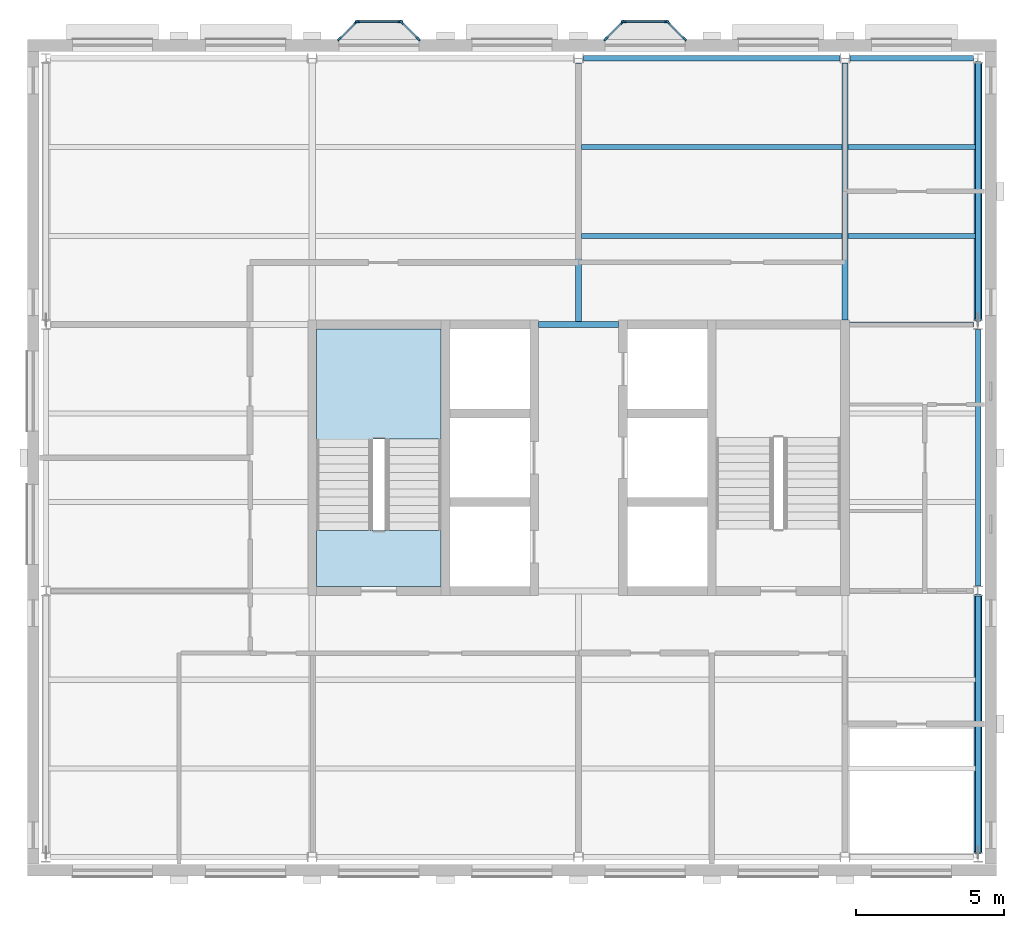
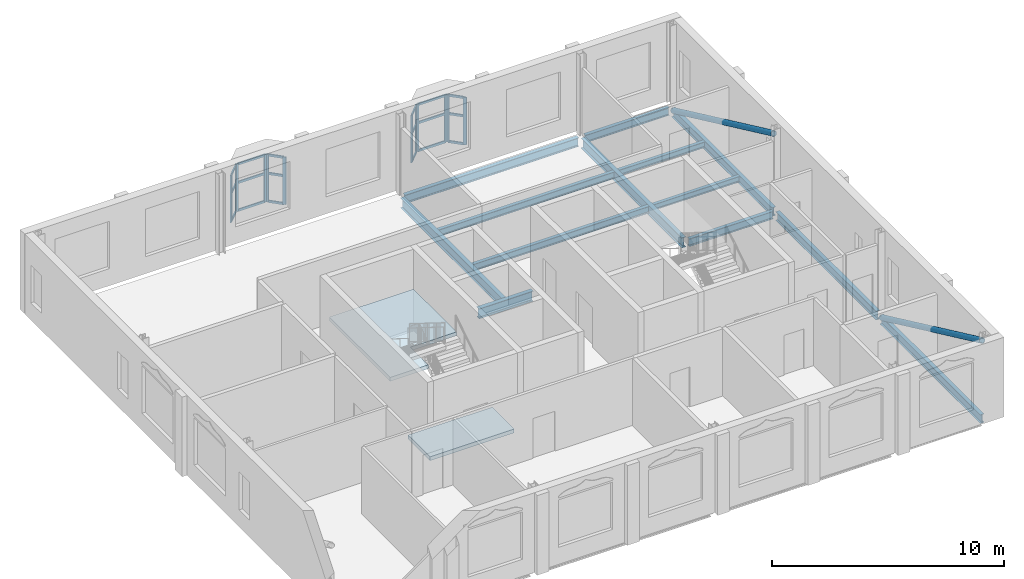
# One storey, part 2 of 9: 32 members, 13 beams, 2 slabs, 7 elements without a shape of their own.
"""IFC4 building model written with IfcOpenShell, lengths in metres."""

from ifc_helpers import new_model, si_unit, direction, frame, origin, origin_2d, place, context, subcontext, project, spatial, polyline, rectangle, hollow_circle, i_section, outline, extrude, material, layer, layer_set, material_profile, profile_set, type_object, element, aggregate, save


model = new_model("IFC4")

# Units and contexts
model_context = context("Model", 3, precision=1e-05, world=origin(), true_north=direction((0.0, 1.0)))
body_context = subcontext(model_context, "Body", "Model", "MODEL_VIEW")
ifc_project = project(units=[si_unit("LENGTHUNIT", "METRE"), si_unit("AREAUNIT", "SQUARE_METRE"), si_unit("VOLUMEUNIT", "CUBIC_METRE"), si_unit("PLANEANGLEUNIT", "RADIAN"), si_unit("MASSUNIT", "GRAM", prefix="KILO")], contexts=[model_context])

# Site, building, storey
site_placement = place(None, origin())
site = spatial("IfcSite", under=ifc_project, at=site_placement, CompositionType="ELEMENT")
building_placement = place(site_placement, origin())
building = spatial("IfcBuilding", under=site, at=building_placement, Name="Hortulan Conservatory and Botanical Research Centre", CompositionType="ELEMENT")
storey_placement = place(building_placement, frame((0.0, 0.0, 44.39990234375)))
storey = spatial("IfcBuildingStorey", under=building, at=storey_placement, Name="L10", CompositionType="ELEMENT", Elevation=44.39990234375)

# Members
ifc_material_1 = material(Name="Steel Grade C350L0 (350 MPa, AS/NZS 1163)", Category="steel")
ifc_material_profile_1 = material_profile(ifc_material_1, hollow_circle(Radius=0.136474609375, WallThickness=0.00927734375, at=origin_2d()), Name="273.1x9.3CHS")
ifc_profile_set_1 = profile_set([ifc_material_profile_1], Name="Steel Grade C350L0 (350 MPa, AS/NZS 1163)")
member_type_1 = type_object("IfcMemberType", Name="Brace 273.1x9.3CHS", PredefinedType="BRACE", material=ifc_profile_set_1)
for number, where, z_axis, x_axis, name in (
    (1, (31.5, 8.839599609375, -0.284912109375), (0.0, -0.906134295521, 0.422990116292), (1.0, 0.0, 0.0), "273.1x9.3CHS brace"),
    (2, (31.5, 26.839599609375, -0.284912109375), (0.0, -0.906134295521, 0.422990116292), (1.0, 0.0, 0.0), "273.1x9.3CHS brace"),
):
    element("IfcMember", number, at=place(storey_placement, frame(where, z_axis=z_axis, x_axis=x_axis)), inside=storey, type_object=member_type_1, Name=name, PredefinedType="BRACE", context=body_context, shape_type="SweptSolid", body=[
        extrude(hollow_circle(Radius=0.136474609375, WallThickness=0.00927734375, at=origin_2d()), origin(), (0.0, 0.0, 1.0), 9.578369140625),
    ])

# Curtain wall, members
ifc_material_2 = material(Name="Bronze-finished aluminium", Category="aluminium")
ifc_layer_1 = layer(ifc_material_2, 0.10009765625)
ifc_layer_set_1 = layer_set([ifc_layer_1], Name="Oriel Curtain Wall 1350 module")
curtain_wall_type = type_object("IfcCurtainWallType", Name="Oriel Curtain Wall 1350 module", PredefinedType="NOTDEFINED", material=ifc_layer_set_1)
curtain_wall_1_placement = place(storey_placement, origin())
curtain_wall_1 = element("IfcCurtainWall", 3, at=curtain_wall_1_placement, inside=storey, type_object=curtain_wall_type, Name="Oriel glazing", PredefinedType="NOTDEFINED")
ifc_material_profile_2 = material_profile(ifc_material_2, rectangle(XDim=0.06005859375, YDim=0.159912109375, at=origin_2d()), Name="Bronze Mullion 60x160")
ifc_profile_set_2 = profile_set([ifc_material_profile_2], Name="Bronze-finished aluminium")
member_type_2 = type_object("IfcMemberType", Name="Bronze Mullion 60x160", PredefinedType="MULLION", material=ifc_profile_set_2)
member_1_placement = place(storey_placement, frame((9.921142578125, 27.6572265625, 0.900146484375), z_axis=(0.0, 0.0, 1.0), x_axis=(-0.707106781187, 0.707106781187, 0.0)))
member_1 = element("IfcMember", 4, at=member_1_placement, type_object=member_type_2, Name="CW2 mullion 1", PredefinedType="MULLION", context=body_context, shape_type="SweptSolid", body=[
    extrude(rectangle(XDim=0.06005859375, YDim=0.159912109375, at=origin_2d()), origin(), (0.0, 0.0, 1.0), 2.5),
])
member_2_placement = place(storey_placement, frame((10.478759765625, 28.21484375, 0.900146484375), z_axis=(0.0, 0.0, 1.0), x_axis=(-0.707106781187, 0.707106781187, 0.0)))
member_2 = element("IfcMember", 5, at=member_2_placement, type_object=member_type_2, Name="CW2 mullion 2", PredefinedType="MULLION", context=body_context, shape_type="SweptSolid", body=[
    extrude(rectangle(XDim=0.06005859375, YDim=0.159912109375, at=origin_2d()), origin(), (0.0, 0.0, 1.0), 2.5),
])

curtain_wall_2_placement = place(storey_placement, origin())
curtain_wall_2 = element("IfcCurtainWall", 6, at=curtain_wall_2_placement, inside=storey, type_object=curtain_wall_type, Name="Oriel glazing", PredefinedType="NOTDEFINED")
member_3_placement = place(storey_placement, frame((10.530029296875, 28.236083984375, 0.900146484375), z_axis=(0.0, 0.0, 1.0), x_axis=(0.0, 1.0, 0.0)))
member_3 = element("IfcMember", 7, at=member_3_placement, type_object=member_type_2, Name="CW2 mullion 1", PredefinedType="MULLION", context=body_context, shape_type="SweptSolid", body=[
    extrude(rectangle(XDim=0.06005859375, YDim=0.159912109375, at=origin_2d()), origin(), (0.0, 0.0, 1.0), 2.5),
])
member_4_placement = place(storey_placement, frame((11.969970703125, 28.236083984375, 0.900146484375), z_axis=(0.0, 0.0, 1.0), x_axis=(0.0, 1.0, 0.0)))
member_4 = element("IfcMember", 8, at=member_4_placement, type_object=member_type_2, Name="CW2 mullion 2", PredefinedType="MULLION", context=body_context, shape_type="SweptSolid", body=[
    extrude(rectangle(XDim=0.06005859375, YDim=0.159912109375, at=origin_2d()), origin(), (0.0, 0.0, 1.0), 2.5),
])

curtain_wall_3_placement = place(storey_placement, origin())
curtain_wall_3 = element("IfcCurtainWall", 9, at=curtain_wall_3_placement, inside=storey, type_object=curtain_wall_type, Name="Oriel glazing", PredefinedType="NOTDEFINED")
member_5_placement = place(storey_placement, frame((12.021240234375, 28.21484375, 0.900146484375), z_axis=(0.0, 0.0, 1.0), x_axis=(0.707106781187, 0.707106781187, 0.0)))
member_5 = element("IfcMember", 10, at=member_5_placement, type_object=member_type_2, Name="CW2 mullion 1", PredefinedType="MULLION", context=body_context, shape_type="SweptSolid", body=[
    extrude(rectangle(XDim=0.06005859375, YDim=0.159912109375, at=origin_2d()), origin(), (0.0, 0.0, 1.0), 2.5),
])
member_6_placement = place(storey_placement, frame((12.578857421875, 27.6572265625, 0.900146484375), z_axis=(0.0, 0.0, 1.0), x_axis=(0.707106781187, 0.707106781187, 0.0)))
member_6 = element("IfcMember", 11, at=member_6_placement, type_object=member_type_2, Name="CW2 mullion 2", PredefinedType="MULLION", context=body_context, shape_type="SweptSolid", body=[
    extrude(rectangle(XDim=0.06005859375, YDim=0.159912109375, at=origin_2d()), origin(), (0.0, 0.0, 1.0), 2.5),
])

curtain_wall_4_placement = place(storey_placement, origin())
curtain_wall_4 = element("IfcCurtainWall", 12, at=curtain_wall_4_placement, inside=storey, type_object=curtain_wall_type, Name="Oriel glazing", PredefinedType="NOTDEFINED")
member_7_placement = place(storey_placement, frame((18.921142578125, 27.6572265625, 0.900146484375), z_axis=(0.0, 0.0, 1.0), x_axis=(-0.707106781187, 0.707106781187, 0.0)))
member_7 = element("IfcMember", 13, at=member_7_placement, type_object=member_type_2, Name="CW2 mullion 1", PredefinedType="MULLION", context=body_context, shape_type="SweptSolid", body=[
    extrude(rectangle(XDim=0.06005859375, YDim=0.159912109375, at=origin_2d()), origin(), (0.0, 0.0, 1.0), 2.5),
])
member_8_placement = place(storey_placement, frame((19.478759765625, 28.21484375, 0.900146484375), z_axis=(0.0, 0.0, 1.0), x_axis=(-0.707106781187, 0.707106781187, 0.0)))
member_8 = element("IfcMember", 14, at=member_8_placement, type_object=member_type_2, Name="CW2 mullion 2", PredefinedType="MULLION", context=body_context, shape_type="SweptSolid", body=[
    extrude(rectangle(XDim=0.06005859375, YDim=0.159912109375, at=origin_2d()), origin(), (0.0, 0.0, 1.0), 2.5),
])

curtain_wall_5_placement = place(storey_placement, origin())
curtain_wall_5 = element("IfcCurtainWall", 15, at=curtain_wall_5_placement, inside=storey, type_object=curtain_wall_type, Name="Oriel glazing", PredefinedType="NOTDEFINED")
member_9_placement = place(storey_placement, frame((19.530029296875, 28.236083984375, 0.900146484375), z_axis=(0.0, 0.0, 1.0), x_axis=(0.0, 1.0, 0.0)))
member_9 = element("IfcMember", 16, at=member_9_placement, type_object=member_type_2, Name="CW2 mullion 1", PredefinedType="MULLION", context=body_context, shape_type="SweptSolid", body=[
    extrude(rectangle(XDim=0.06005859375, YDim=0.159912109375, at=origin_2d()), origin(), (0.0, 0.0, 1.0), 2.5),
])
member_10_placement = place(storey_placement, frame((20.969970703125, 28.236083984375, 0.900146484375), z_axis=(0.0, 0.0, 1.0), x_axis=(0.0, 1.0, 0.0)))
member_10 = element("IfcMember", 17, at=member_10_placement, type_object=member_type_2, Name="CW2 mullion 2", PredefinedType="MULLION", context=body_context, shape_type="SweptSolid", body=[
    extrude(rectangle(XDim=0.06005859375, YDim=0.159912109375, at=origin_2d()), origin(), (0.0, 0.0, 1.0), 2.5),
])

curtain_wall_6_placement = place(storey_placement, origin())
curtain_wall_6 = element("IfcCurtainWall", 18, at=curtain_wall_6_placement, inside=storey, type_object=curtain_wall_type, Name="Oriel glazing", PredefinedType="NOTDEFINED")
member_11_placement = place(storey_placement, frame((21.021240234375, 28.21484375, 0.900146484375), z_axis=(0.0, 0.0, 1.0), x_axis=(0.707106781187, 0.707106781187, 0.0)))
member_11 = element("IfcMember", 19, at=member_11_placement, type_object=member_type_2, Name="CW2 mullion 1", PredefinedType="MULLION", context=body_context, shape_type="SweptSolid", body=[
    extrude(rectangle(XDim=0.06005859375, YDim=0.159912109375, at=origin_2d()), origin(), (0.0, 0.0, 1.0), 2.5),
])
member_12_placement = place(storey_placement, frame((21.578857421875, 27.6572265625, 0.900146484375), z_axis=(0.0, 0.0, 1.0), x_axis=(0.707106781187, 0.707106781187, 0.0)))
member_12 = element("IfcMember", 20, at=member_12_placement, type_object=member_type_2, Name="CW2 mullion 2", PredefinedType="MULLION", context=body_context, shape_type="SweptSolid", body=[
    extrude(rectangle(XDim=0.06005859375, YDim=0.159912109375, at=origin_2d()), origin(), (0.0, 0.0, 1.0), 2.5),
])

# Member
ifc_material_profile_3 = material_profile(ifc_material_2, rectangle(XDim=0.06005859375, YDim=0.1201171875, at=origin_2d()), Name="Bronze Transom 60x120")
ifc_profile_set_3 = profile_set([ifc_material_profile_3], Name="Bronze-finished aluminium")
member_type_3 = type_object("IfcMemberType", Name="Bronze Transom 60x120", PredefinedType="USERDEFINED", material=ifc_profile_set_3)
member_13_placement = place(storey_placement, frame((9.9423828125, 27.678466796875, 0.93017578125), z_axis=(0.707106781187, 0.707106781187, 0.0), x_axis=(-0.707106781187, 0.707106781187, 0.0)))
member_13 = element("IfcMember", 21, at=member_13_placement, type_object=member_type_3, Name="CW2 transom 1.1", ObjectType="TRANSOM", PredefinedType="USERDEFINED", context=body_context, shape_type="SweptSolid", body=[
    extrude(rectangle(XDim=0.06005859375, YDim=0.1201171875, at=origin_2d()), origin(), (0.0, 0.0, 1.0), 0.728515625),
])

member_14_placement = place(storey_placement, frame((9.9423828125, 27.678466796875, 2.400146484375), z_axis=(0.707106781187, 0.707106781187, 0.0), x_axis=(-0.707106781187, 0.707106781187, 0.0)))
member_14 = element("IfcMember", 22, at=member_14_placement, type_object=member_type_3, Name="CW2 transom 1.2", ObjectType="TRANSOM", PredefinedType="USERDEFINED", context=body_context, shape_type="SweptSolid", body=[
    extrude(rectangle(XDim=0.06005859375, YDim=0.1201171875, at=origin_2d()), origin(), (0.0, 0.0, 1.0), 0.728515625),
])

member_15_placement = place(storey_placement, frame((9.9423828125, 27.678466796875, 3.3701171875), z_axis=(0.707106781187, 0.707106781187, 0.0), x_axis=(-0.707106781187, 0.707106781187, 0.0)))
member_15 = element("IfcMember", 23, at=member_15_placement, type_object=member_type_3, Name="CW2 transom 1.3", ObjectType="TRANSOM", PredefinedType="USERDEFINED", context=body_context, shape_type="SweptSolid", body=[
    extrude(rectangle(XDim=0.06005859375, YDim=0.1201171875, at=origin_2d()), origin(), (0.0, 0.0, 1.0), 0.728515625),
])

aggregate(curtain_wall_1, [member_1, member_2, member_13, member_14, member_15])

member_16_placement = place(storey_placement, frame((10.56005859375, 28.236083984375, 0.93017578125), z_axis=(1.0, 0.0, 0.0), x_axis=(0.0, 1.0, 0.0)))
member_16 = element("IfcMember", 24, at=member_16_placement, type_object=member_type_3, Name="CW2 transom 1.1", ObjectType="TRANSOM", PredefinedType="USERDEFINED", context=body_context, shape_type="SweptSolid", body=[
    extrude(rectangle(XDim=0.06005859375, YDim=0.1201171875, at=origin_2d()), origin(), (0.0, 0.0, 1.0), 1.3798828125),
])

member_17_placement = place(storey_placement, frame((10.56005859375, 28.236083984375, 2.400146484375), z_axis=(1.0, 0.0, 0.0), x_axis=(0.0, 1.0, 0.0)))
member_17 = element("IfcMember", 25, at=member_17_placement, type_object=member_type_3, Name="CW2 transom 1.2", ObjectType="TRANSOM", PredefinedType="USERDEFINED", context=body_context, shape_type="SweptSolid", body=[
    extrude(rectangle(XDim=0.06005859375, YDim=0.1201171875, at=origin_2d()), origin(), (0.0, 0.0, 1.0), 1.3798828125),
])

member_18_placement = place(storey_placement, frame((10.56005859375, 28.236083984375, 3.3701171875), z_axis=(1.0, 0.0, 0.0), x_axis=(0.0, 1.0, 0.0)))
member_18 = element("IfcMember", 26, at=member_18_placement, type_object=member_type_3, Name="CW2 transom 1.3", ObjectType="TRANSOM", PredefinedType="USERDEFINED", context=body_context, shape_type="SweptSolid", body=[
    extrude(rectangle(XDim=0.06005859375, YDim=0.1201171875, at=origin_2d()), origin(), (0.0, 0.0, 1.0), 1.3798828125),
])

aggregate(curtain_wall_2, [member_3, member_4, member_16, member_17, member_18])

member_19_placement = place(storey_placement, frame((12.04248046875, 28.193603515625, 0.93017578125), z_axis=(0.707106781187, -0.707106781187, 0.0), x_axis=(0.707106781187, 0.707106781187, 0.0)))
member_19 = element("IfcMember", 27, at=member_19_placement, type_object=member_type_3, Name="CW2 transom 1.1", ObjectType="TRANSOM", PredefinedType="USERDEFINED", context=body_context, shape_type="SweptSolid", body=[
    extrude(rectangle(XDim=0.06005859375, YDim=0.1201171875, at=origin_2d()), origin(), (0.0, 0.0, 1.0), 0.728515625),
])

member_20_placement = place(storey_placement, frame((12.04248046875, 28.193603515625, 2.400146484375), z_axis=(0.707106781187, -0.707106781187, 0.0), x_axis=(0.707106781187, 0.707106781187, 0.0)))
member_20 = element("IfcMember", 28, at=member_20_placement, type_object=member_type_3, Name="CW2 transom 1.2", ObjectType="TRANSOM", PredefinedType="USERDEFINED", context=body_context, shape_type="SweptSolid", body=[
    extrude(rectangle(XDim=0.06005859375, YDim=0.1201171875, at=origin_2d()), origin(), (0.0, 0.0, 1.0), 0.728515625),
])

member_21_placement = place(storey_placement, frame((12.04248046875, 28.193603515625, 3.3701171875), z_axis=(0.707106781187, -0.707106781187, 0.0), x_axis=(0.707106781187, 0.707106781187, 0.0)))
member_21 = element("IfcMember", 29, at=member_21_placement, type_object=member_type_3, Name="CW2 transom 1.3", ObjectType="TRANSOM", PredefinedType="USERDEFINED", context=body_context, shape_type="SweptSolid", body=[
    extrude(rectangle(XDim=0.06005859375, YDim=0.1201171875, at=origin_2d()), origin(), (0.0, 0.0, 1.0), 0.728515625),
])

aggregate(curtain_wall_3, [member_5, member_6, member_19, member_20, member_21])

member_22_placement = place(storey_placement, frame((18.9423828125, 27.678466796875, 0.93017578125), z_axis=(0.707106781187, 0.707106781187, 0.0), x_axis=(-0.707106781187, 0.707106781187, 0.0)))
member_22 = element("IfcMember", 30, at=member_22_placement, type_object=member_type_3, Name="CW2 transom 1.1", ObjectType="TRANSOM", PredefinedType="USERDEFINED", context=body_context, shape_type="SweptSolid", body=[
    extrude(rectangle(XDim=0.06005859375, YDim=0.1201171875, at=origin_2d()), origin(), (0.0, 0.0, 1.0), 0.728515625),
])

member_23_placement = place(storey_placement, frame((18.9423828125, 27.678466796875, 2.400146484375), z_axis=(0.707106781187, 0.707106781187, 0.0), x_axis=(-0.707106781187, 0.707106781187, 0.0)))
member_23 = element("IfcMember", 31, at=member_23_placement, type_object=member_type_3, Name="CW2 transom 1.2", ObjectType="TRANSOM", PredefinedType="USERDEFINED", context=body_context, shape_type="SweptSolid", body=[
    extrude(rectangle(XDim=0.06005859375, YDim=0.1201171875, at=origin_2d()), origin(), (0.0, 0.0, 1.0), 0.728515625),
])

member_24_placement = place(storey_placement, frame((18.9423828125, 27.678466796875, 3.3701171875), z_axis=(0.707106781187, 0.707106781187, 0.0), x_axis=(-0.707106781187, 0.707106781187, 0.0)))
member_24 = element("IfcMember", 32, at=member_24_placement, type_object=member_type_3, Name="CW2 transom 1.3", ObjectType="TRANSOM", PredefinedType="USERDEFINED", context=body_context, shape_type="SweptSolid", body=[
    extrude(rectangle(XDim=0.06005859375, YDim=0.1201171875, at=origin_2d()), origin(), (0.0, 0.0, 1.0), 0.728515625),
])

aggregate(curtain_wall_4, [member_7, member_8, member_22, member_23, member_24])

member_25_placement = place(storey_placement, frame((19.56005859375, 28.236083984375, 0.93017578125), z_axis=(1.0, 0.0, 0.0), x_axis=(0.0, 1.0, 0.0)))
member_25 = element("IfcMember", 33, at=member_25_placement, type_object=member_type_3, Name="CW2 transom 1.1", ObjectType="TRANSOM", PredefinedType="USERDEFINED", context=body_context, shape_type="SweptSolid", body=[
    extrude(rectangle(XDim=0.06005859375, YDim=0.1201171875, at=origin_2d()), origin(), (0.0, 0.0, 1.0), 1.3798828125),
])

member_26_placement = place(storey_placement, frame((19.56005859375, 28.236083984375, 2.400146484375), z_axis=(1.0, 0.0, 0.0), x_axis=(0.0, 1.0, 0.0)))
member_26 = element("IfcMember", 34, at=member_26_placement, type_object=member_type_3, Name="CW2 transom 1.2", ObjectType="TRANSOM", PredefinedType="USERDEFINED", context=body_context, shape_type="SweptSolid", body=[
    extrude(rectangle(XDim=0.06005859375, YDim=0.1201171875, at=origin_2d()), origin(), (0.0, 0.0, 1.0), 1.3798828125),
])

member_27_placement = place(storey_placement, frame((19.56005859375, 28.236083984375, 3.3701171875), z_axis=(1.0, 0.0, 0.0), x_axis=(0.0, 1.0, 0.0)))
member_27 = element("IfcMember", 35, at=member_27_placement, type_object=member_type_3, Name="CW2 transom 1.3", ObjectType="TRANSOM", PredefinedType="USERDEFINED", context=body_context, shape_type="SweptSolid", body=[
    extrude(rectangle(XDim=0.06005859375, YDim=0.1201171875, at=origin_2d()), origin(), (0.0, 0.0, 1.0), 1.3798828125),
])

aggregate(curtain_wall_5, [member_9, member_10, member_25, member_26, member_27])

member_28_placement = place(storey_placement, frame((21.04248046875, 28.193603515625, 0.93017578125), z_axis=(0.707106781187, -0.707106781187, 0.0), x_axis=(0.707106781187, 0.707106781187, 0.0)))
member_28 = element("IfcMember", 36, at=member_28_placement, type_object=member_type_3, Name="CW2 transom 1.1", ObjectType="TRANSOM", PredefinedType="USERDEFINED", context=body_context, shape_type="SweptSolid", body=[
    extrude(rectangle(XDim=0.06005859375, YDim=0.1201171875, at=origin_2d()), origin(), (0.0, 0.0, 1.0), 0.728515625),
])

member_29_placement = place(storey_placement, frame((21.04248046875, 28.193603515625, 2.400146484375), z_axis=(0.707106781187, -0.707106781187, 0.0), x_axis=(0.707106781187, 0.707106781187, 0.0)))
member_29 = element("IfcMember", 37, at=member_29_placement, type_object=member_type_3, Name="CW2 transom 1.2", ObjectType="TRANSOM", PredefinedType="USERDEFINED", context=body_context, shape_type="SweptSolid", body=[
    extrude(rectangle(XDim=0.06005859375, YDim=0.1201171875, at=origin_2d()), origin(), (0.0, 0.0, 1.0), 0.728515625),
])

member_30_placement = place(storey_placement, frame((21.04248046875, 28.193603515625, 3.3701171875), z_axis=(0.707106781187, -0.707106781187, 0.0), x_axis=(0.707106781187, 0.707106781187, 0.0)))
member_30 = element("IfcMember", 38, at=member_30_placement, type_object=member_type_3, Name="CW2 transom 1.3", ObjectType="TRANSOM", PredefinedType="USERDEFINED", context=body_context, shape_type="SweptSolid", body=[
    extrude(rectangle(XDim=0.06005859375, YDim=0.1201171875, at=origin_2d()), origin(), (0.0, 0.0, 1.0), 0.728515625),
])

aggregate(curtain_wall_6, [member_11, member_12, member_28, member_29, member_30])

# Beams
ifc_material_3 = material(Name="Steel Grade 300PLUS (AS/NZS 3679.1, 280 MPa minimum yield)", Category="steel")
ifc_material_profile_4 = material_profile(ifc_material_3, i_section(OverallWidth=0.177978515625, OverallDepth=0.403076171875, WebThickness=0.007568359375, FlangeThickness=0.010986328125, FilletRadius=0.011474609375, at=origin_2d()), Name="410UB53.7")
ifc_profile_set_4 = profile_set([ifc_material_profile_4], Name="Steel Grade 300PLUS (AS/NZS 3679.1, 280 MPa minimum yield)")
beam_type_1 = type_object("IfcBeamType", Name="Primary Beam 410UB53.7", PredefinedType="BEAM", material=ifc_profile_set_4)
beam_1_placement = place(storey_placement, frame((27.16357421875, 27.0, -0.331298828125), z_axis=(1.0, 0.0, 0.0), x_axis=(0.0, 1.0, 0.0)))
element("IfcBeam", 39, at=beam_1_placement, inside=storey, type_object=beam_type_1, Name="410UB53.7 girder", PredefinedType="BEAM", context=body_context, shape_type="SweptSolid", body=[
    extrude(i_section(OverallWidth=0.177978515625, OverallDepth=0.403076171875, WebThickness=0.007568359375, FlangeThickness=0.010986328125, FilletRadius=0.011474609375, at=origin_2d()), origin(), (0.0, 0.0, 1.0), 4.180908203125),
])
beam_2_placement = place(storey_placement, frame((27.14990234375, 18.0, -0.331298828125), z_axis=(1.0, 0.0, 0.0), x_axis=(0.0, 1.0, 0.0)))
element("IfcBeam", 40, at=beam_2_placement, inside=storey, type_object=beam_type_1, Name="410UB53.7 girder", PredefinedType="BEAM", context=body_context, shape_type="SweptSolid", body=[
    extrude(i_section(OverallWidth=0.177978515625, OverallDepth=0.403076171875, WebThickness=0.007568359375, FlangeThickness=0.010986328125, FilletRadius=0.011474609375, at=origin_2d()), origin(), (0.0, 0.0, 1.0), 4.194580078125),
])
ifc_material_profile_5 = material_profile(ifc_material_3, i_section(OverallWidth=0.19091796875, OverallDepth=0.4599609375, WebThickness=0.010009765625, FlangeThickness=0.01611328125, FilletRadius=0.011474609375, at=origin_2d()), Name="460UB82.1")
ifc_profile_set_5 = profile_set([ifc_material_profile_5], Name="Steel Grade 300PLUS (AS/NZS 3679.1, 280 MPa minimum yield)")
beam_type_2 = type_object("IfcBeamType", Name="Primary Beam 460UB82.1", PredefinedType="BEAM", material=ifc_profile_set_5)
for number, where, z_axis, x_axis, name in (
    (41, (18.16357421875, 27.0, -0.35986328125), (1.0, 0.0, 0.0), (0.0, 1.0, 0.0), "460UB82.1 girder"),
    (42, (31.5, 0.16357421875, -0.35986328125), (0.0, 1.0, 0.0), (-1.0, 0.0, 0.0), "460UB82.1 girder"),
    (43, (31.5, 9.16357421875, -0.35986328125), (0.0, 1.0, 0.0), (-1.0, 0.0, 0.0), "460UB82.1 girder"),
    (44, (31.5, 18.16357421875, -0.35986328125), (0.0, 1.0, 0.0), (-1.0, 0.0, 0.0), "460UB82.1 girder"),
):
    element("IfcBeam", number, at=place(storey_placement, frame(where, z_axis=z_axis, x_axis=x_axis)), inside=storey, type_object=beam_type_2, Name=name, PredefinedType="BEAM", context=body_context, shape_type="SweptSolid", body=[
        extrude(i_section(OverallWidth=0.19091796875, OverallDepth=0.4599609375, WebThickness=0.010009765625, FlangeThickness=0.01611328125, FilletRadius=0.011474609375, at=origin_2d()), origin(), (0.0, 0.0, 1.0), 8.6728515625),
    ])
ifc_material_profile_6 = material_profile(ifc_material_3, i_section(OverallWidth=0.208984375, OverallDepth=0.532958984375, WebThickness=0.01025390625, FlangeThickness=0.015625, FilletRadius=0.013916015625, at=origin_2d()), Name="530UB92.4")
ifc_profile_set_6 = profile_set([ifc_material_profile_6], Name="Steel Grade 300PLUS (AS/NZS 3679.1, 280 MPa minimum yield)")
beam_type_3 = type_object("IfcBeamType", Name="Primary Beam 530UB92.4", PredefinedType="BEAM", material=ifc_profile_set_6)
beam_3_placement = place(storey_placement, frame((16.64990234375, 18.0, -0.396484375), z_axis=(1.0, 0.0, 0.0), x_axis=(0.0, 1.0, 0.0)))
element("IfcBeam", 45, at=beam_3_placement, inside=storey, type_object=beam_type_3, Name="530UB92.4 girder", PredefinedType="BEAM", context=body_context, shape_type="SweptSolid", body=[
    extrude(i_section(OverallWidth=0.208984375, OverallDepth=0.532958984375, WebThickness=0.01025390625, FlangeThickness=0.015625, FilletRadius=0.013916015625, at=origin_2d()), origin(), (0.0, 0.0, 1.0), 2.7001953125),
])
beam_4_placement = place(storey_placement, frame((18.0, 18.0, -0.396484375), z_axis=(0.0, 1.0, 0.0), x_axis=(-1.0, 0.0, 0.0)))
element("IfcBeam", 46, at=beam_4_placement, inside=storey, type_object=beam_type_3, Name="530UB92.4 girder", PredefinedType="BEAM", context=body_context, shape_type="SweptSolid", body=[
    extrude(i_section(OverallWidth=0.208984375, OverallDepth=0.532958984375, WebThickness=0.01025390625, FlangeThickness=0.015625, FilletRadius=0.013916015625, at=origin_2d()), origin(), (0.0, 0.0, 1.0), 8.844482421875),
])
beam_5_placement = place(storey_placement, frame((27.0, 18.14990234375, -0.396484375), z_axis=(0.0, 1.0, 0.0), x_axis=(-1.0, 0.0, 0.0)))
element("IfcBeam", 47, at=beam_5_placement, inside=storey, type_object=beam_type_3, Name="530UB92.4 girder", PredefinedType="BEAM", context=body_context, shape_type="SweptSolid", body=[
    extrude(i_section(OverallWidth=0.208984375, OverallDepth=0.532958984375, WebThickness=0.01025390625, FlangeThickness=0.015625, FilletRadius=0.013916015625, at=origin_2d()), origin(), (0.0, 0.0, 1.0), 8.694580078125),
])
ifc_material_profile_7 = material_profile(ifc_material_3, i_section(OverallWidth=0.1650390625, OverallDepth=0.303955078125, WebThickness=0.006103515625, FlangeThickness=0.01025390625, FilletRadius=0.011474609375, at=origin_2d()), Name="310UB40.4")
ifc_profile_set_7 = profile_set([ifc_material_profile_7], Name="Steel Grade 300PLUS (AS/NZS 3679.1, 280 MPa minimum yield)")
beam_type_4 = type_object("IfcBeamType", Name="Secondary Beam 310UB40.4", PredefinedType="JOIST", material=ifc_profile_set_7)
for number, where, z_axis, x_axis, name in (
    (48, (27.1044921875, 21.0, -0.281982421875), (1.0, 0.0, 0.0), (0.0, 1.0, 0.0), "310UB40.4 secondary beam"),
    (49, (27.1044921875, 24.0, -0.281982421875), (1.0, 0.0, 0.0), (0.0, 1.0, 0.0), "310UB40.4 secondary beam"),
):
    element("IfcBeam", number, at=place(storey_placement, frame(where, z_axis=z_axis, x_axis=x_axis)), inside=storey, type_object=beam_type_4, Name=name, PredefinedType="JOIST", context=body_context, shape_type="SweptSolid", body=[
        extrude(i_section(OverallWidth=0.1650390625, OverallDepth=0.303955078125, WebThickness=0.006103515625, FlangeThickness=0.01025390625, FilletRadius=0.011474609375, at=origin_2d()), origin(), (0.0, 0.0, 1.0), 4.300048828125),
    ])
ifc_material_profile_8 = material_profile(ifc_material_3, i_section(OverallWidth=0.172119140625, OverallDepth=0.35888671875, WebThickness=0.008056640625, FlangeThickness=0.012939453125, FilletRadius=0.011474609375, at=origin_2d()), Name="360UB56.7")
ifc_profile_set_8 = profile_set([ifc_material_profile_8], Name="Steel Grade 300PLUS (AS/NZS 3679.1, 280 MPa minimum yield)")
beam_type_5 = type_object("IfcBeamType", Name="Secondary Beam 360UB56.7", PredefinedType="JOIST", material=ifc_profile_set_8)
for number, where, z_axis, x_axis, name in (
    (50, (18.1044921875, 21.0, -0.309326171875), (1.0, 0.0, 0.0), (0.0, 1.0, 0.0), "360UB56.7 secondary beam"),
    (51, (18.1044921875, 24.0, -0.309326171875), (1.0, 0.0, 0.0), (0.0, 1.0, 0.0), "360UB56.7 secondary beam"),
):
    element("IfcBeam", number, at=place(storey_placement, frame(where, z_axis=z_axis, x_axis=x_axis)), inside=storey, type_object=beam_type_5, Name=name, PredefinedType="JOIST", context=body_context, shape_type="SweptSolid", body=[
        extrude(i_section(OverallWidth=0.172119140625, OverallDepth=0.35888671875, WebThickness=0.008056640625, FlangeThickness=0.012939453125, FilletRadius=0.011474609375, at=origin_2d()), origin(), (0.0, 0.0, 1.0), 8.791015625),
    ])

# Stair, slab
ifc_material_4 = material(Name="Concrete N40 (40 MPa, AS 3600)", Category="concrete")
stair_type = type_object("IfcStairType", Name="Concrete Escape Stair 1900", PredefinedType="HALF_TURN_STAIR", material=ifc_material_4)
stair_placement = place(storey_placement, origin())
stair = element("IfcStair", 52, at=stair_placement, inside=storey, type_object=stair_type, Name="Stair T1 L10", PredefinedType="HALF_TURN_STAIR")
ifc_layer_2 = layer(ifc_material_4, 0.199951171875)
ifc_layer_set_2 = layer_set([ifc_layer_2], Name="Stair Landing 200")
slab_type = type_object("IfcSlabType", Name="Stair Landing 200", PredefinedType="LANDING", material=ifc_layer_set_2)
slab_1_placement = place(storey_placement, frame((0.0, 0.0, 1.900146484375)))
slab_1 = element("IfcSlab", 53, at=slab_1_placement, type_object=slab_type, Name="Stair T1 L10 half landing 1", PredefinedType="LANDING", context=body_context, shape_type="SweptSolid", body=[
    extrude(outline(polyline([(13.35009765625, 14.12939453125), (11.050048828125, 14.12939453125), (11.050048828125, 12.590087890625), (9.14990234375, 12.590087890625), (9.14990234375, 14.12939453125), (9.14990234375, 14.1298828125), (9.14990234375, 14.139892578125), (9.14990234375, 17.85009765625), (13.35009765625, 17.85009765625), (13.35009765625, 14.139892578125), (13.35009765625, 14.1298828125), (13.35009765625, 14.12939453125)])), origin(), (0.0, 0.0, 1.0), 0.199951171875),
])
aggregate(stair, [slab_1])

# Slab
slab_2_placement = place(storey_placement, frame((0.0, 0.0, -0.199951171875)))
element("IfcSlab", 54, at=slab_2_placement, inside=storey, type_object=slab_type, Name="Stair T1 floor landing L10", PredefinedType="LANDING", context=body_context, shape_type="SweptSolid", body=[
    extrude(outline(polyline([(13.35009765625, 9.14990234375), (9.14990234375, 9.14990234375), (9.14990234375, 11.050048828125), (13.35009765625, 11.050048828125), (13.35009765625, 9.14990234375)])), origin(), (0.0, 0.0, 1.0), 0.199951171875),
])

save(model, "model.ifc")
